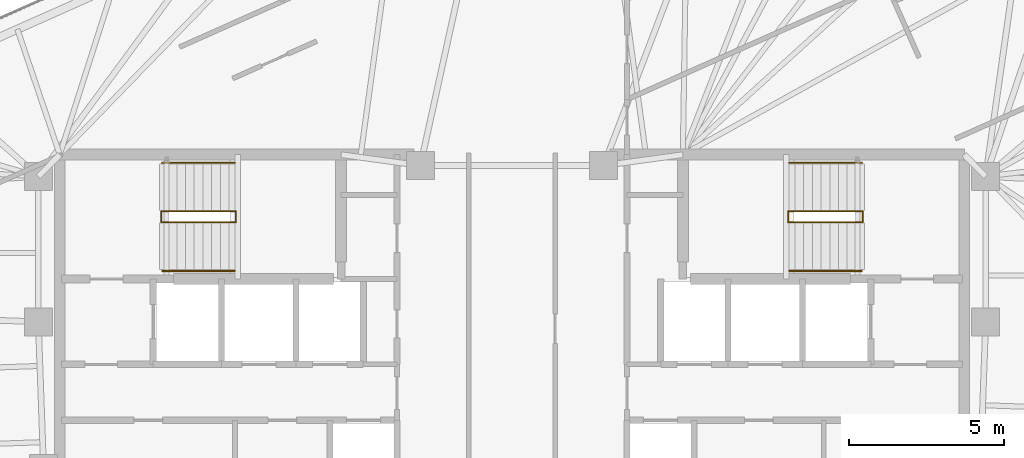
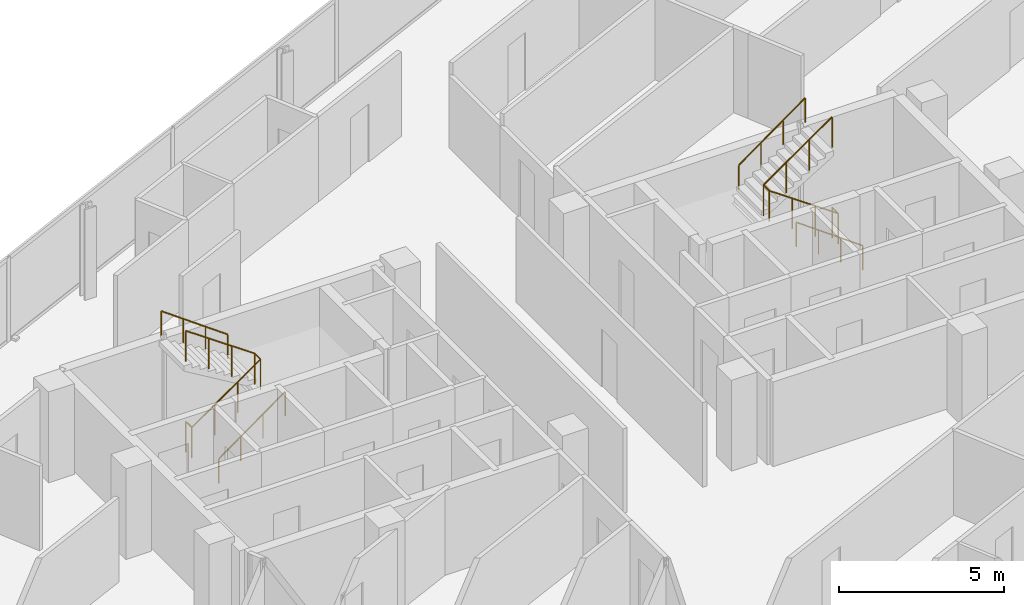
# One storey, part 19 of 19: 6 railings.
"""IFC4 building model written with IfcOpenShell, lengths in metres."""

from ifc_helpers import new_model, si_unit, direction, frame, origin, origin_2d, place, context, subcontext, project, spatial, circle, extrude, material, type_object, element, save


model = new_model("IFC4")

# Units and contexts
model_context = context("Model", 3, precision=1e-05, world=origin(), true_north=direction((0.0, 1.0)))
body_context = subcontext(model_context, "Body", "Model", "MODEL_VIEW")
ifc_project = project(units=[si_unit("LENGTHUNIT", "METRE"), si_unit("AREAUNIT", "SQUARE_METRE"), si_unit("VOLUMEUNIT", "CUBIC_METRE"), si_unit("PLANEANGLEUNIT", "RADIAN"), si_unit("MASSUNIT", "GRAM", prefix="KILO")], contexts=[model_context])

# Site, building, storey
site_placement = place(None, origin())
site = spatial("IfcSite", under=ifc_project, at=site_placement, CompositionType="ELEMENT")
building_placement = place(site_placement, origin())
building = spatial("IfcBuilding", under=site, at=building_placement, Name="Menara Jurai Vektor", CompositionType="ELEMENT")
storey_placement = place(building_placement, frame((0.0, 0.0, 281.89990234375)))
storey = spatial("IfcBuildingStorey", under=building, at=storey_placement, Name="L75", CompositionType="ELEMENT", Elevation=281.89990234375)

# Railings
ifc_material_1 = material(Name="Painted Galvanised Steel Balustrade", Category="steel")
railing_type_1 = type_object("IfcRailingType", Name="RAIL-STAIR-GUARD", PredefinedType="GUARDRAIL", material=ifc_material_1)
railing_1_placement = place(storey_placement, frame((-11.2900390625, 3.780029296875, 0.0)))
element("IfcRailing", 1, at=railing_1_placement, inside=storey, type_object=railing_type_1, Name="ST1 Stair Guardrail 1 L75", PredefinedType="GUARDRAIL", context=body_context, shape_type="SweptSolid", body=[
    extrude(circle(Radius=0.02392578125, at=origin_2d()), frame((0.0, 0.0, 1.1259765625), z_axis=(0.0, -1.0, 0.0), x_axis=(1.0, 0.0, 0.0)), (0.0, 0.0, 1.0), 0.360107421875),
    extrude(circle(Radius=0.02392578125, at=origin_2d()), frame((0.0, -0.360107421875, 1.1259765625), z_axis=(0.820042287322, 0.0, 0.572302932898), x_axis=(0.0, 1.0, 0.0)), (0.0, 0.0, 1.0), 2.9267578125),
    extrude(circle(Radius=0.02392578125, at=origin_2d()), frame((2.400146484375, -0.360107421875, 2.80078125), z_axis=(0.0, 1.0, 0.0), x_axis=(-1.0, 0.0, 0.0)), (0.0, 0.0, 1.0), 0.360107421875),
    extrude(circle(Radius=0.02392578125, at=origin_2d()), frame((2.400146484375, 0.0, 2.80078125), z_axis=(-0.820042287322, 0.0, 0.572302932898), x_axis=(0.0, -1.0, 0.0)), (0.0, 0.0, 1.0), 2.9267578125),
    extrude(circle(Radius=0.02099609375, at=origin_2d()), origin(), (0.0, 0.0, 1.0), 1.101806640625),
    extrude(circle(Radius=0.02099609375, at=origin_2d()), frame((0.0, -0.360107421875, 0.0)), (0.0, 0.0, 1.0), 1.101806640625),
    extrude(circle(Radius=0.02099609375, at=origin_2d()), frame((0.800048828125, -0.360107421875, 0.558349609375)), (0.0, 0.0, 1.0), 1.101806640625),
    extrude(circle(Radius=0.02099609375, at=origin_2d()), frame((1.60009765625, -0.360107421875, 1.11669921875)), (0.0, 0.0, 1.0), 1.101806640625),
    extrude(circle(Radius=0.02099609375, at=origin_2d()), frame((2.400146484375, -0.360107421875, 1.675048828125)), (0.0, 0.0, 1.0), 1.101806640625),
    extrude(circle(Radius=0.02099609375, at=origin_2d()), frame((2.400146484375, 0.0, 1.675048828125)), (0.0, 0.0, 1.0), 1.101806640625),
    extrude(circle(Radius=0.02099609375, at=origin_2d()), frame((1.60009765625, 0.0, 2.2333984375)), (0.0, 0.0, 1.0), 1.101806640625),
    extrude(circle(Radius=0.02099609375, at=origin_2d()), frame((0.800048828125, 0.0, 2.791748046875)), (0.0, 0.0, 1.0), 1.101806640625),
    extrude(circle(Radius=0.02099609375, at=origin_2d()), frame((0.0, 0.0, 3.35009765625)), (0.0, 0.0, 1.0), 1.101806640625),
])
railing_2_placement = place(storey_placement, frame((11.2900390625, 3.780029296875, 0.0)))
element("IfcRailing", 2, at=railing_2_placement, inside=storey, type_object=railing_type_1, Name="ST2 Stair Guardrail 1 L75", PredefinedType="GUARDRAIL", context=body_context, shape_type="SweptSolid", body=[
    extrude(circle(Radius=0.02392578125, at=origin_2d()), frame((0.0, 0.0, 1.1259765625), z_axis=(0.0, -1.0, 0.0), x_axis=(1.0, 0.0, 0.0)), (0.0, 0.0, 1.0), 0.360107421875),
    extrude(circle(Radius=0.02392578125, at=origin_2d()), frame((0.0, -0.360107421875, 1.1259765625), z_axis=(-0.820042287322, 0.0, 0.572302932898), x_axis=(0.0, -1.0, 0.0)), (0.0, 0.0, 1.0), 2.9267578125),
    extrude(circle(Radius=0.02392578125, at=origin_2d()), frame((-2.400146484375, -0.360107421875, 2.80078125), z_axis=(0.0, 1.0, 0.0), x_axis=(-1.0, 0.0, 0.0)), (0.0, 0.0, 1.0), 0.360107421875),
    extrude(circle(Radius=0.02392578125, at=origin_2d()), frame((-2.400146484375, 0.0, 2.80078125), z_axis=(0.820042287322, 0.0, 0.572302932898), x_axis=(0.0, 1.0, 0.0)), (0.0, 0.0, 1.0), 2.9267578125),
    extrude(circle(Radius=0.02099609375, at=origin_2d()), origin(), (0.0, 0.0, 1.0), 1.101806640625),
    extrude(circle(Radius=0.02099609375, at=origin_2d()), frame((0.0, -0.360107421875, 0.0)), (0.0, 0.0, 1.0), 1.101806640625),
    extrude(circle(Radius=0.02099609375, at=origin_2d()), frame((-0.800048828125, -0.360107421875, 0.558349609375)), (0.0, 0.0, 1.0), 1.101806640625),
    extrude(circle(Radius=0.02099609375, at=origin_2d()), frame((-1.60009765625, -0.360107421875, 1.11669921875)), (0.0, 0.0, 1.0), 1.101806640625),
    extrude(circle(Radius=0.02099609375, at=origin_2d()), frame((-2.400146484375, -0.360107421875, 1.675048828125)), (0.0, 0.0, 1.0), 1.101806640625),
    extrude(circle(Radius=0.02099609375, at=origin_2d()), frame((-2.400146484375, 0.0, 1.675048828125)), (0.0, 0.0, 1.0), 1.101806640625),
    extrude(circle(Radius=0.02099609375, at=origin_2d()), frame((-1.60009765625, 0.0, 2.2333984375)), (0.0, 0.0, 1.0), 1.101806640625),
    extrude(circle(Radius=0.02099609375, at=origin_2d()), frame((-0.800048828125, 0.0, 2.791748046875)), (0.0, 0.0, 1.0), 1.101806640625),
    extrude(circle(Radius=0.02099609375, at=origin_2d()), frame((0.0, 0.0, 3.35009765625)), (0.0, 0.0, 1.0), 1.101806640625),
])
ifc_material_2 = material(Name="Brushed Stainless Steel Handrail", Category="steel")
railing_type_2 = type_object("IfcRailingType", Name="RAIL-STAIR-HAND", PredefinedType="HANDRAIL", material=ifc_material_2)
railing_3_placement = place(storey_placement, frame((-11.25, 1.860107421875, 0.0)))
element("IfcRailing", 3, at=railing_3_placement, inside=storey, type_object=railing_type_2, Name="ST1 Stair Handrail 1 L75", PredefinedType="HANDRAIL", context=body_context, shape_type="SweptSolid", body=[
    extrude(circle(Radius=0.02392578125, at=origin_2d()), frame((0.0, 0.0, 0.89599609375), z_axis=(0.810771458067, 0.0, 0.585362830032), x_axis=(0.0, 1.0, 0.0)), (0.0, 0.0, 1.0), 2.861572265625),
    extrude(circle(Radius=0.02099609375, at=origin_2d()), origin(), (0.0, 0.0, 1.0), 0.871826171875),
    extrude(circle(Radius=0.02099609375, at=origin_2d()), frame((0.7734375, 0.0, 0.558349609375)), (0.0, 0.0, 1.0), 0.871826171875),
    extrude(circle(Radius=0.02099609375, at=origin_2d()), frame((1.546630859375, 0.0, 1.11669921875)), (0.0, 0.0, 1.0), 0.871826171875),
    extrude(circle(Radius=0.02099609375, at=origin_2d()), frame((2.320068359375, 0.0, 1.675048828125)), (0.0, 0.0, 1.0), 0.871826171875),
])
for number, where, name in (
    (4, (-8.929931640625, 5.340087890625, 1.675048828125), "ST1 Stair Handrail 2 L75"),
    (5, (11.25, 1.860107421875, 0.0), "ST2 Stair Handrail 1 L75"),
):
    element("IfcRailing", number, at=place(storey_placement, frame(where)), inside=storey, type_object=railing_type_2, Name=name, PredefinedType="HANDRAIL", context=body_context, shape_type="SweptSolid", body=[
        extrude(circle(Radius=0.02392578125, at=origin_2d()), frame((0.0, 0.0, 0.89599609375), z_axis=(-0.810771458067, 0.0, 0.585362830032), x_axis=(0.0, -1.0, 0.0)), (0.0, 0.0, 1.0), 2.861572265625),
        extrude(circle(Radius=0.02099609375, at=origin_2d()), origin(), (0.0, 0.0, 1.0), 0.871826171875),
        extrude(circle(Radius=0.02099609375, at=origin_2d()), frame((-0.7734375, 0.0, 0.558349609375)), (0.0, 0.0, 1.0), 0.871826171875),
        extrude(circle(Radius=0.02099609375, at=origin_2d()), frame((-1.546630859375, 0.0, 1.11669921875)), (0.0, 0.0, 1.0), 0.871826171875),
        extrude(circle(Radius=0.02099609375, at=origin_2d()), frame((-2.320068359375, 0.0, 1.675048828125)), (0.0, 0.0, 1.0), 0.871826171875),
    ])
railing_4_placement = place(storey_placement, frame((8.929931640625, 5.340087890625, 1.675048828125)))
element("IfcRailing", 6, at=railing_4_placement, inside=storey, type_object=railing_type_2, Name="ST2 Stair Handrail 2 L75", PredefinedType="HANDRAIL", context=body_context, shape_type="SweptSolid", body=[
    extrude(circle(Radius=0.02392578125, at=origin_2d()), frame((0.0, 0.0, 0.89599609375), z_axis=(0.810771458067, 0.0, 0.585362830032), x_axis=(0.0, 1.0, 0.0)), (0.0, 0.0, 1.0), 2.861572265625),
    extrude(circle(Radius=0.02099609375, at=origin_2d()), origin(), (0.0, 0.0, 1.0), 0.871826171875),
    extrude(circle(Radius=0.02099609375, at=origin_2d()), frame((0.7734375, 0.0, 0.558349609375)), (0.0, 0.0, 1.0), 0.871826171875),
    extrude(circle(Radius=0.02099609375, at=origin_2d()), frame((1.546630859375, 0.0, 1.11669921875)), (0.0, 0.0, 1.0), 0.871826171875),
    extrude(circle(Radius=0.02099609375, at=origin_2d()), frame((2.320068359375, 0.0, 1.675048828125)), (0.0, 0.0, 1.0), 0.871826171875),
])

save(model, "model.ifc")
